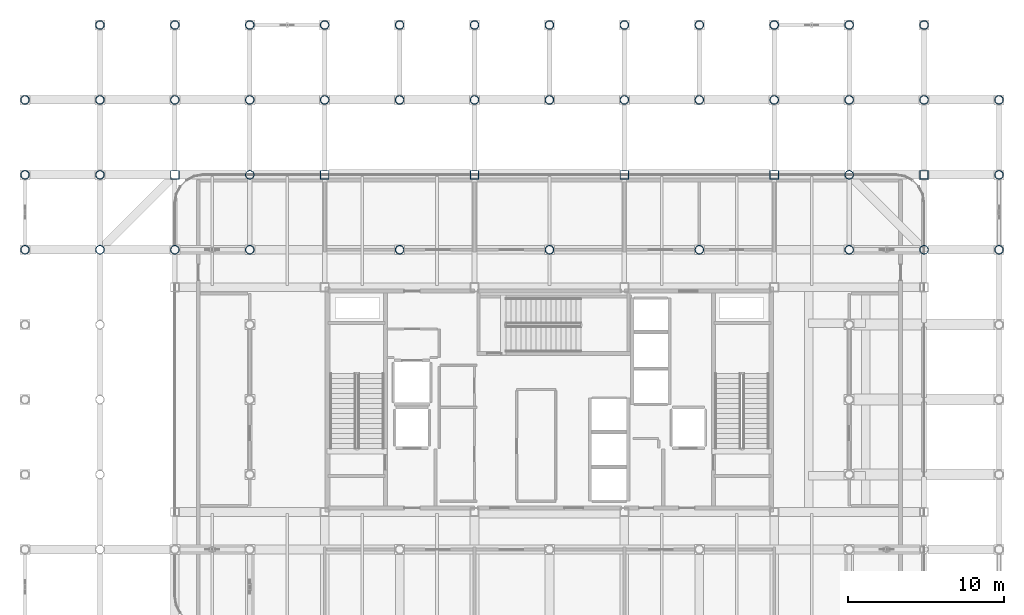
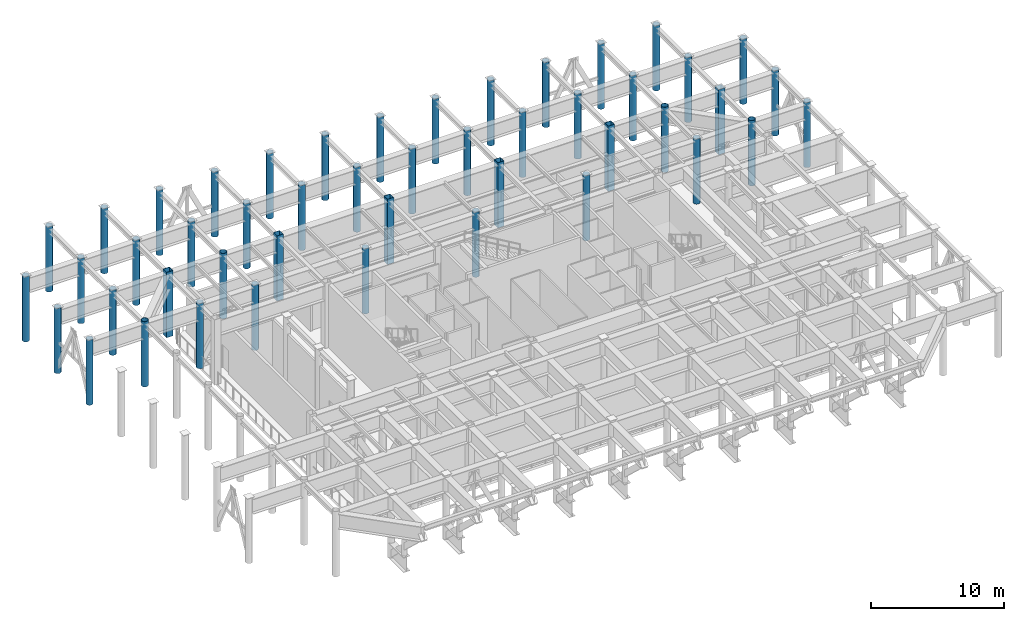
# One storey, part 3 of 20: 47 columns.
"""IFC4 building model written with IfcOpenShell, lengths in metres."""

import ifcopenshell
import ifcopenshell.guid

model = None  # the IFC model being written
_history = None  # IfcOwnerHistory: only IFC2X3 demands one
_inside = {}  # id of a spatial element -> (the spatial element, [elements in it])
_under = {}  # id of a project, library or spatial element -> (it, [spatial elements below it])
_declared = {}  # id of a project -> (the project, [libraries it declares])
_typed = {}  # id of a type object -> (the type object, [elements of that type])
_made_of = {}  # id of a material, layer set ... -> (it, [elements and type objects made of it])


def new_model(schema):
    """Start an empty IFC model of exactly this schema.

    Asked for "IFC4X3", IfcOpenShell would pick the latest addendum, in which some entities
    have other attributes; the version numbers below select the first issue.
    IFC2X3 requires an IfcOwnerHistory on every rooted entity: one is made here for all.
    """
    global model, _history
    if schema == "IFC4X3":
        model = ifcopenshell.file(schema_version=(4, 3, 0, 0))
    else:
        model = ifcopenshell.file(schema=schema)
    _inside.clear()
    _under.clear()
    _declared.clear()
    _typed.clear()
    _made_of.clear()
    _history = None
    if model.schema == "IFC2X3":
        org = make("IfcOrganization", Name="unknown")
        user = make(
            "IfcPersonAndOrganization",
            ThePerson=make("IfcPerson", FamilyName="unknown"),
            TheOrganization=org,
        )
        app = make(
            "IfcApplication",
            ApplicationDeveloper=org,
            Version="unknown",
            ApplicationFullName="unknown",
            ApplicationIdentifier="unknown",
        )
        _history = make(
            "IfcOwnerHistory",
            OwningUser=user,
            OwningApplication=app,
            ChangeAction="ADDED",
            CreationDate=0,
        )
    return model


def make(cls, **values):
    """One entity of the class cls with the attributes given. An attribute that is None is left unset."""
    return model.create_entity(
        cls, **{name: value for name, value in values.items() if value is not None}
    )


def rooted(cls, **values):
    """An entity with a GlobalId (a new one), such as an element, a storey or a relation."""
    return make(cls, GlobalId=ifcopenshell.guid.new(), OwnerHistory=_history, **values)


def si_unit(unit_type, name, prefix=None):
    """IfcSIUnit, for example si_unit("LENGTHUNIT", "METRE", prefix="MILLI")."""
    return make("IfcSIUnit", UnitType=unit_type, Prefix=prefix, Name=name)


def assignment(units):
    """IfcUnitAssignment: the units of a project."""
    return None if units is None else make("IfcUnitAssignment", Units=units)


def point(xyz):
    """IfcCartesianPoint."""
    return None if xyz is None else make("IfcCartesianPoint", Coordinates=xyz)


def direction(xyz):
    """IfcDirection."""
    return None if xyz is None else make("IfcDirection", DirectionRatios=xyz)


def frame(location, z_axis=None, x_axis=None):
    """IfcAxis2Placement3D, a coordinate frame: its origin and axes. An axis left out is left unset."""
    return make(
        "IfcAxis2Placement3D",
        Location=point(location),
        Axis=direction(z_axis),
        RefDirection=direction(x_axis),
    )


def frame_2d(location, x_axis=None):
    """IfcAxis2Placement2D, a coordinate frame in the plane: its origin and x axis."""
    return make(
        "IfcAxis2Placement2D", Location=point(location), RefDirection=direction(x_axis)
    )


def origin():
    """The frame at (0, 0, 0) with its axes left unset."""
    return frame((0.0, 0.0, 0.0))


def origin_2d():
    """The frame at (0, 0) in the plane with its x axis left unset."""
    return frame_2d((0.0, 0.0))


def place(relative_to, where):
    """IfcLocalPlacement: puts the frame where relative to a parent placement (None: the world)."""
    return make(
        "IfcLocalPlacement", PlacementRelTo=relative_to, RelativePlacement=where
    )


def context(
    kind, dimensions, precision=None, world=None, true_north=None, identifier=None
):
    """IfcGeometricRepresentationContext, for example the 3D "Model" context."""
    return make(
        "IfcGeometricRepresentationContext",
        ContextIdentifier=identifier,
        ContextType=kind,
        CoordinateSpaceDimension=dimensions,
        Precision=precision,
        WorldCoordinateSystem=world,
        TrueNorth=true_north,
    )


def subcontext(parent, identifier, kind, view, scale=None):
    """IfcGeometricRepresentationSubContext, for example "Body" below "Model"."""
    return make(
        "IfcGeometricRepresentationSubContext",
        ContextIdentifier=identifier,
        ContextType=kind,
        ParentContext=parent,
        TargetScale=scale,
        TargetView=view,
    )


def project(units=None, contexts=None):
    """IfcProject with its units and contexts."""
    return rooted(
        "IfcProject",
        Name="project",
        RepresentationContexts=contexts,
        UnitsInContext=assignment(units),
    )


def spatial(cls, under=None, at=None, **own):
    """A site, building, storey or space (cls), placed at a placement, below another one or the project."""
    s = rooted(cls, ObjectPlacement=at, **own)
    if under is not None:
        _under.setdefault(under.id(), (under, []))[1].append(s)
    return s


def profile(cls, at=None, kind="AREA", **sizes):
    """A parametric profile (cls). Its sizes go by their IFC names, for example OverallWidth=200.0."""
    return make(cls, ProfileType=kind, Position=at, **sizes)


def hollow_rectangle(**sizes):
    """IfcRectangleHollowProfileDef."""
    return profile("IfcRectangleHollowProfileDef", **sizes)


def hollow_circle(**sizes):
    """IfcCircleHollowProfileDef."""
    return profile("IfcCircleHollowProfileDef", **sizes)


def extrude(swept, where, along, depth):
    """IfcExtrudedAreaSolid: the profile swept, set in the frame where, extruded along a direction by depth."""
    return make(
        "IfcExtrudedAreaSolid",
        SweptArea=swept,
        Position=where,
        ExtrudedDirection=direction(along),
        Depth=depth,
    )


def shape(context_of_items, identifier, shape_type, items):
    """IfcShapeRepresentation: the items that make up one representation, for example the "Body"."""
    return make(
        "IfcShapeRepresentation",
        ContextOfItems=context_of_items,
        RepresentationIdentifier=identifier,
        RepresentationType=shape_type,
        Items=items,
    )


def material(Name=None, Category=None):
    """IfcMaterial."""
    return make("IfcMaterial", Name=Name, Category=Category)


def material_profile(
    of_material, cross_section, Name=None, Category=None, Priority=None
):
    """IfcMaterialProfile: a cross section and its material."""
    return make(
        "IfcMaterialProfile",
        Name=Name,
        Material=of_material,
        Profile=cross_section,
        Priority=Priority,
        Category=Category,
    )


def profile_set(profiles, Name=None, composite=None):
    """IfcMaterialProfileSet."""
    return make(
        "IfcMaterialProfileSet",
        Name=Name,
        MaterialProfiles=profiles,
        CompositeProfile=composite,
    )


def made_of(thing, what):
    """Note that an element or type object is made of a material, layer set ...; save() writes the relation."""
    if what is not None:
        _made_of.setdefault(what.id(), (what, []))[1].append(thing)
    return thing


def type_object(cls, material=None, **own):
    """A type object (cls), such as IfcWallType, which elements share."""
    return made_of(rooted(cls, **own), material)


def element(
    cls,
    number,
    at=None,
    inside=None,
    cuts=None,
    type_object=None,
    material=None,
    context=None,
    identifier="Body",
    shape_type=None,
    held_by="IfcProductDefinitionShape",
    body=None,
    shapes=None,
    **own,
):
    """One element of the class cls, such as IfcWall. Its Tag is "e" and its number.

    at: its placement. inside: the storey or other place that contains it. cuts: it is an
    opening in that element (IfcRelVoidsElement). A single representation is given by context,
    identifier, shape_type and body (its items); several are given by shapes. held_by: the class
    of the entity that holds the representations. save() writes the other relations.
    """
    e = rooted(cls, Tag="e%d" % number, ObjectPlacement=at, **own)
    if body is not None:
        shapes = [shape(context, identifier, shape_type, body)]
    if shapes is not None:
        e.Representation = make(held_by, Representations=shapes)
    if inside is not None:
        _inside.setdefault(inside.id(), (inside, []))[1].append(e)
    if cuts is not None:
        rooted(
            "IfcRelVoidsElement", RelatingBuildingElement=cuts, RelatedOpeningElement=e
        )
    if type_object is not None:
        _typed.setdefault(type_object.id(), (type_object, []))[1].append(e)
    return made_of(e, material)


def aggregate(whole, parts):
    """IfcRelAggregates: a whole, such as a stair, and the parts it consists of."""
    return rooted("IfcRelAggregates", RelatingObject=whole, RelatedObjects=parts)


def save(model, path):
    """Write the relations noted so far, then the file.

    IfcRelAggregates (storeys below a building ...), IfcRelContainedInSpatialStructure (elements
    in a storey), IfcRelDefinesByType, IfcRelAssociatesMaterial and IfcRelDeclares: one each for
    every whole, place, type object, material and project.
    """
    for whole, parts in _under.values():
        aggregate(whole, parts)
    for where, things in _inside.values():
        rooted(
            "IfcRelContainedInSpatialStructure",
            RelatedElements=things,
            RelatingStructure=where,
        )
    for kind, things in _typed.values():
        rooted("IfcRelDefinesByType", RelatedObjects=things, RelatingType=kind)
    for what, things in _made_of.values():
        rooted("IfcRelAssociatesMaterial", RelatedObjects=things, RelatingMaterial=what)
    for by, libraries in _declared.values():
        rooted("IfcRelDeclares", RelatingContext=by, RelatedDefinitions=libraries)
    model.write(path)


model = new_model("IFC4")

# Units and contexts
model_context = context("Model", 3, precision=1e-05, world=origin(), true_north=direction((0.0, 1.0)))
body_context = subcontext(model_context, "Body", "Model", "MODEL_VIEW")
ifc_project = project(units=[si_unit("LENGTHUNIT", "METRE"), si_unit("AREAUNIT", "SQUARE_METRE"), si_unit("VOLUMEUNIT", "CUBIC_METRE"), si_unit("PLANEANGLEUNIT", "RADIAN"), si_unit("MASSUNIT", "GRAM", prefix="KILO")], contexts=[model_context])

# Site, building, storey
site_placement = place(None, origin())
site = spatial("IfcSite", under=ifc_project, at=site_placement, CompositionType="ELEMENT")
building_placement = place(site_placement, origin())
building = spatial("IfcBuilding", under=site, at=building_placement, Name="Kallvorn Hotel Tower", CompositionType="ELEMENT")
storey_placement = place(building_placement, frame((0.0, 0.0, 276.199951171875)))
storey = spatial("IfcBuildingStorey", under=building, at=storey_placement, Name="L69", CompositionType="ELEMENT", Elevation=276.199951171875)

# Columns
ifc_material_1 = material(Name="Structural steel S355J2H", Category="steel")
ifc_material_profile_1 = material_profile(ifc_material_1, hollow_circle(Radius=0.279541015625, WallThickness=0.02490234375, at=origin_2d()), Name="CHS 559x25")
ifc_profile_set_1 = profile_set([ifc_material_profile_1], Name="Structural steel S355J2H")
column_type_1 = type_object("IfcColumnType", Name="COL_CHS_559", PredefinedType="COLUMN", material=ifc_profile_set_1)
for number, where, z_axis, x_axis, name in (
    (1, (-33.60009765625, 9.60009765625, 0.0), (0.0, 0.0, 1.0), (1.0, 0.0, 0.0), "L69 Exoskeleton Column EC06"),
    (2, (-33.60009765625, 14.39990234375, 0.0), (0.0, 0.0, 1.0), (1.0, 0.0, 0.0), "L69 Exoskeleton Column EC07"),
    (3, (-33.60009765625, 19.199951171875, 0.0), (0.0, 0.0, 1.0), (1.0, 0.0, 0.0), "L69 Exoskeleton Column EC08"),
    (4, (-28.800048828125, 9.60009765625, 0.0), (0.0, 0.0, 1.0), (1.0, 0.0, 0.0), "L69 Exoskeleton Column EC15"),
    (5, (-28.800048828125, 14.39990234375, 0.0), (0.0, 0.0, 1.0), (1.0, 0.0, 0.0), "L69 Exoskeleton Column EC16"),
    (6, (-28.800048828125, 19.199951171875, 0.0), (0.0, 0.0, 1.0), (1.0, 0.0, 0.0), "L69 Exoskeleton Column EC17"),
    (7, (-28.800048828125, 24.0, 0.0), (0.0, 0.0, 1.0), (1.0, 0.0, 0.0), "L69 Exoskeleton Column EC18"),
    (8, (-24.0, 9.60009765625, 0.0), (0.0, 0.0, 1.0), (1.0, 0.0, 0.0), "L69 Exoskeleton Column EC21"),
    (9, (-24.0, 19.199951171875, 0.0), (0.0, 0.0, 1.0), (1.0, 0.0, 0.0), "L69 Exoskeleton Column EC22"),
    (10, (-24.0, 24.0, 0.0), (0.0, 0.0, 1.0), (1.0, 0.0, 0.0), "L69 Exoskeleton Column EC23"),
    (11, (-19.199951171875, 9.60009765625, 0.0), (0.0, 0.0, 1.0), (1.0, 0.0, 0.0), "L69 Exoskeleton Column EC30"),
    (12, (-19.199951171875, 14.39990234375, 0.0), (0.0, 0.0, 1.0), (1.0, 0.0, 0.0), "L69 Exoskeleton Column EC31"),
    (13, (-19.199951171875, 19.199951171875, 0.0), (0.0, 0.0, 1.0), (1.0, 0.0, 0.0), "L69 Exoskeleton Column EC32"),
    (14, (-19.199951171875, 24.0, 0.0), (0.0, 0.0, 1.0), (1.0, 0.0, 0.0), "L69 Exoskeleton Column EC33"),
    (15, (-14.39990234375, 19.199951171875, 0.0), (0.0, 0.0, 1.0), (1.0, 0.0, 0.0), "L69 Exoskeleton Column EC35"),
    (16, (-14.39990234375, 24.0, 0.0), (0.0, 0.0, 1.0), (1.0, 0.0, 0.0), "L69 Exoskeleton Column EC36"),
    (17, (-9.60009765625, 9.60009765625, 0.0), (0.0, 0.0, 1.0), (1.0, 0.0, 0.0), "L69 Exoskeleton Column EC39"),
    (18, (-9.60009765625, 19.199951171875, 0.0), (0.0, 0.0, 1.0), (1.0, 0.0, 0.0), "L69 Exoskeleton Column EC40"),
    (19, (-9.60009765625, 24.0, 0.0), (0.0, 0.0, 1.0), (1.0, 0.0, 0.0), "L69 Exoskeleton Column EC41"),
    (20, (-4.800048828125, 19.199951171875, 0.0), (0.0, 0.0, 1.0), (1.0, 0.0, 0.0), "L69 Exoskeleton Column EC43"),
    (21, (-4.800048828125, 24.0, 0.0), (0.0, 0.0, 1.0), (1.0, 0.0, 0.0), "L69 Exoskeleton Column EC44"),
    (22, (0.0, 9.60009765625, 0.0), (0.0, 0.0, 1.0), (1.0, 0.0, 0.0), "L69 Exoskeleton Column EC47"),
    (23, (0.0, 19.199951171875, 0.0), (0.0, 0.0, 1.0), (1.0, 0.0, 0.0), "L69 Exoskeleton Column EC48"),
    (24, (0.0, 24.0, 0.0), (0.0, 0.0, 1.0), (1.0, 0.0, 0.0), "L69 Exoskeleton Column EC49"),
    (25, (4.800048828125, 19.199951171875, 0.0), (0.0, 0.0, 1.0), (1.0, 0.0, 0.0), "L69 Exoskeleton Column EC51"),
    (26, (4.800048828125, 24.0, 0.0), (0.0, 0.0, 1.0), (1.0, 0.0, 0.0), "L69 Exoskeleton Column EC52"),
    (27, (9.60009765625, 9.60009765625, 0.0), (0.0, 0.0, 1.0), (1.0, 0.0, 0.0), "L69 Exoskeleton Column EC55"),
    (28, (9.60009765625, 19.199951171875, 0.0), (0.0, 0.0, 1.0), (1.0, 0.0, 0.0), "L69 Exoskeleton Column EC56"),
    (29, (9.60009765625, 24.0, 0.0), (0.0, 0.0, 1.0), (1.0, 0.0, 0.0), "L69 Exoskeleton Column EC57"),
    (30, (14.39990234375, 19.199951171875, 0.0), (0.0, 0.0, 1.0), (1.0, 0.0, 0.0), "L69 Exoskeleton Column EC59"),
    (31, (14.39990234375, 24.0, 0.0), (0.0, 0.0, 1.0), (1.0, 0.0, 0.0), "L69 Exoskeleton Column EC60"),
    (32, (19.199951171875, 9.60009765625, 0.0), (0.0, 0.0, 1.0), (1.0, 0.0, 0.0), "L69 Exoskeleton Column EC67"),
    (33, (19.199951171875, 14.39990234375, 0.0), (0.0, 0.0, 1.0), (1.0, 0.0, 0.0), "L69 Exoskeleton Column EC68"),
    (34, (19.199951171875, 19.199951171875, 0.0), (0.0, 0.0, 1.0), (1.0, 0.0, 0.0), "L69 Exoskeleton Column EC69"),
    (35, (19.199951171875, 24.0, 0.0), (0.0, 0.0, 1.0), (1.0, 0.0, 0.0), "L69 Exoskeleton Column EC70"),
    (36, (24.0, 9.60009765625, 0.0), (0.0, 0.0, 1.0), (1.0, 0.0, 0.0), "L69 Exoskeleton Column EC73"),
    (37, (24.0, 19.199951171875, 0.0), (0.0, 0.0, 1.0), (1.0, 0.0, 0.0), "L69 Exoskeleton Column EC74"),
    (38, (24.0, 24.0, 0.0), (0.0, 0.0, 1.0), (1.0, 0.0, 0.0), "L69 Exoskeleton Column EC75"),
    (39, (28.800048828125, 9.60009765625, 0.0), (0.0, 0.0, 1.0), (1.0, 0.0, 0.0), "L69 Exoskeleton Column EC82"),
    (40, (28.800048828125, 14.39990234375, 0.0), (0.0, 0.0, 1.0), (1.0, 0.0, 0.0), "L69 Exoskeleton Column EC83"),
    (41, (28.800048828125, 19.199951171875, 0.0), (0.0, 0.0, 1.0), (1.0, 0.0, 0.0), "L69 Exoskeleton Column EC84"),
):
    element("IfcColumn", number, at=place(storey_placement, frame(where, z_axis=z_axis, x_axis=x_axis)), inside=storey, type_object=column_type_1, Name=name, PredefinedType="COLUMN", context=body_context, shape_type="SweptSolid", body=[
        extrude(hollow_circle(Radius=0.279541015625, WallThickness=0.02490234375, at=origin_2d()), origin(), (0.0, 0.0, 1.0), 6.0),
    ])
ifc_material_2 = material(Name="Structural steel S355J2H", Category="steel")
ifc_material_profile_2 = material_profile(ifc_material_2, hollow_rectangle(XDim=0.550048828125, YDim=0.550048828125, WallThickness=0.02490234375, at=origin_2d()), Name="RHS 550x550x25")
ifc_profile_set_2 = profile_set([ifc_material_profile_2], Name="Structural steel S355J2H")
column_type_2 = type_object("IfcColumnType", Name="COL_RHS_550", PredefinedType="COLUMN", material=ifc_profile_set_2)
for number, where, z_axis, x_axis, name in (
    (42, (-24.0, 14.39990234375, 0.0), (0.0, 0.0, 1.0), (1.0, 0.0, 0.0), "L69 Inner Column IC04"),
    (43, (-14.39990234375, 14.39990234375, 0.0), (0.0, 0.0, 1.0), (1.0, 0.0, 0.0), "L69 Inner Column IC08"),
    (44, (-4.800048828125, 14.39990234375, 0.0), (0.0, 0.0, 1.0), (1.0, 0.0, 0.0), "L69 Inner Column IC12"),
    (45, (4.800048828125, 14.39990234375, 0.0), (0.0, 0.0, 1.0), (1.0, 0.0, 0.0), "L69 Inner Column IC16"),
    (46, (14.39990234375, 14.39990234375, 0.0), (0.0, 0.0, 1.0), (1.0, 0.0, 0.0), "L69 Inner Column IC20"),
    (47, (24.0, 14.39990234375, 0.0), (0.0, 0.0, 1.0), (1.0, 0.0, 0.0), "L69 Inner Column IC24"),
):
    element("IfcColumn", number, at=place(storey_placement, frame(where, z_axis=z_axis, x_axis=x_axis)), inside=storey, type_object=column_type_2, Name=name, PredefinedType="COLUMN", context=body_context, shape_type="SweptSolid", body=[
        extrude(hollow_rectangle(XDim=0.550048828125, YDim=0.550048828125, WallThickness=0.02490234375, at=origin_2d()), origin(), (0.0, 0.0, 1.0), 6.0),
    ])

save(model, "model.ifc")
